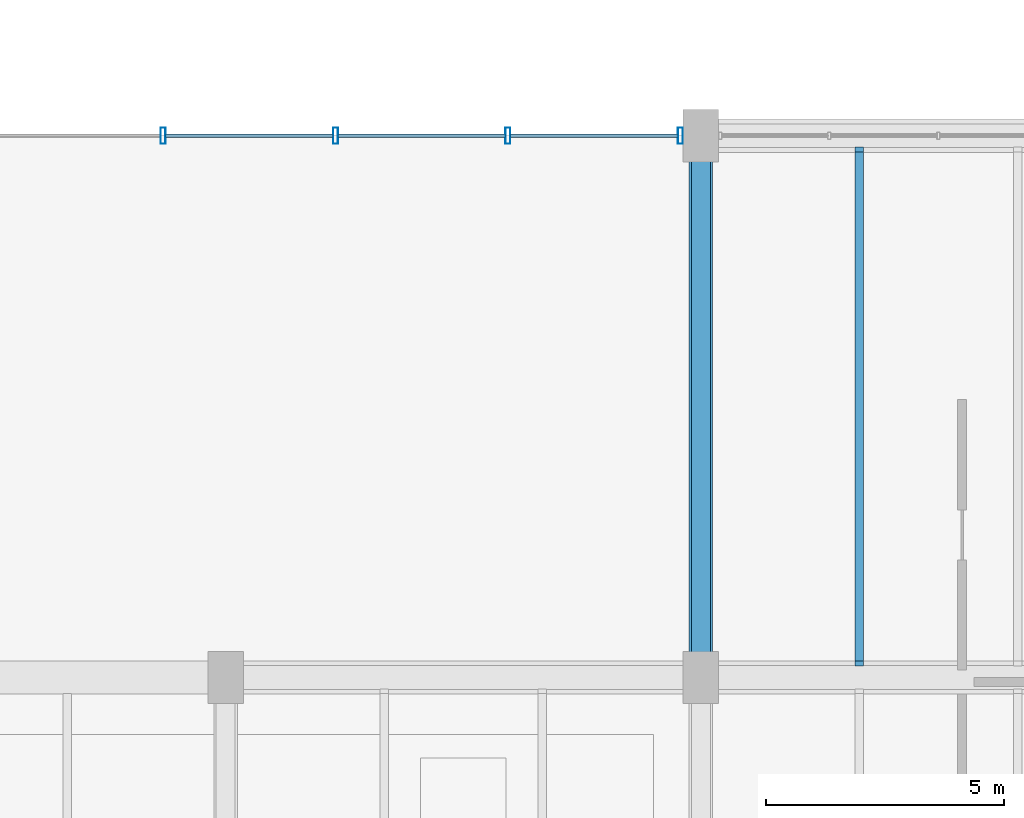
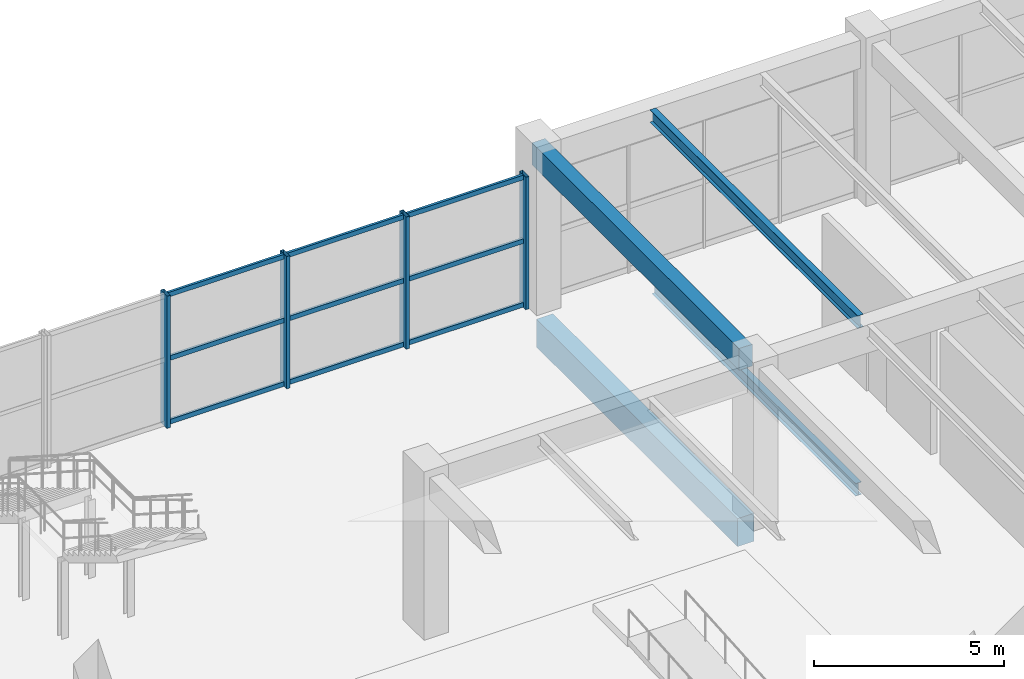
# One storey, part 38 of 113: 13 members, 4 beams, 1 element without a shape of its own.
"""IFC4 building model written with IfcOpenShell, lengths in metres."""

from ifc_helpers import new_model, si_unit, direction, frame, origin, origin_2d, place, context, subcontext, project, spatial, rectangle, hollow_rectangle, i_section, extrude, material, layer, layer_set, material_profile, profile_set, type_object, element, aggregate, save


model = new_model("IFC4")

# Units and contexts
model_context = context("Model", 3, precision=1e-05, world=origin(), true_north=direction((0.0, 1.0)))
body_context = subcontext(model_context, "Body", "Model", "MODEL_VIEW")
ifc_project = project(units=[si_unit("LENGTHUNIT", "METRE"), si_unit("AREAUNIT", "SQUARE_METRE"), si_unit("VOLUMEUNIT", "CUBIC_METRE"), si_unit("PLANEANGLEUNIT", "RADIAN"), si_unit("MASSUNIT", "GRAM", prefix="KILO"), si_unit("POWERUNIT", "WATT"), si_unit("THERMODYNAMICTEMPERATUREUNIT", "KELVIN")], contexts=[model_context])

# Site, building, storey
site_placement = place(None, origin())
site = spatial("IfcSite", under=ifc_project, at=site_placement, CompositionType="ELEMENT")
building_placement = place(site_placement, origin())
building = spatial("IfcBuilding", under=site, at=building_placement, Name="Kelmbourne Parkland Aquatics Centre", CompositionType="ELEMENT")
storey_placement = place(building_placement, origin())
storey = spatial("IfcBuildingStorey", under=building, at=storey_placement, Name="L00", CompositionType="ELEMENT", Elevation=0.0)

# Beams
ifc_material_1 = material(Name="Concrete C40/50", Category="concrete")
ifc_material_profile_1 = material_profile(ifc_material_1, rectangle(XDim=0.5, YDim=0.89990234375, at=origin_2d()), Name="RC 500x900")
ifc_profile_set_1 = profile_set([ifc_material_profile_1], Name="Concrete C40/50")
beam_type_1 = type_object("IfcBeamType", Name="BM-G03", PredefinedType="BEAM", material=ifc_profile_set_1)
beam_1_placement = place(storey_placement, frame((76.0, 12.705078125, -0.72998046875), z_axis=(0.0, 1.0, 0.0), x_axis=(-1.0, 0.0, 0.0)))
element("IfcBeam", 1, at=beam_1_placement, inside=storey, type_object=beam_type_1, Name="Primary girder 03-04 Grid J (L00)", PredefinedType="BEAM", context=body_context, shape_type="SweptSolid", body=[
    extrude(rectangle(XDim=0.5, YDim=0.89990234375, at=origin_2d()), origin(), (0.0, 0.0, 1.0), 10.56494140625),
])
ifc_material_profile_2 = material_profile(ifc_material_1, rectangle(XDim=0.39990234375, YDim=0.699951171875, at=origin_2d()), Name="RC 400x700")
ifc_profile_set_2 = profile_set([ifc_material_profile_2], Name="Concrete C40/50")
beam_type_2 = type_object("IfcBeamType", Name="BM-G05", PredefinedType="BEAM", material=ifc_profile_set_2)
beam_2_placement = place(storey_placement, frame((76.0, 12.705078125, 4.81005859375), z_axis=(0.0, 1.0, 0.0), x_axis=(-1.0, 0.0, 0.0)))
element("IfcBeam", 2, at=beam_2_placement, inside=storey, type_object=beam_type_2, Name="Primary girder 03-04 Grid J (L01)", PredefinedType="BEAM", context=body_context, shape_type="SweptSolid", body=[
    extrude(rectangle(XDim=0.39990234375, YDim=0.699951171875, at=origin_2d()), origin(), (0.0, 0.0, 1.0), 10.89501953125),
])
ifc_material_2 = material(Name="Structural steel AS/NZS 3679.1 Grade 300", Category="steel")
ifc_material_profile_3 = material_profile(ifc_material_2, i_section(OverallWidth=0.177978515625, OverallDepth=0.406005859375, WebThickness=0.0078125, FlangeThickness=0.0126953125, at=origin_2d()), Name="410UB59.7")
ifc_profile_set_3 = profile_set([ifc_material_profile_3], Name="Structural steel AS/NZS 3679.1 Grade 300")
beam_type_3 = type_object("IfcBeamType", Name="BM-J01", PredefinedType="JOIST", material=ifc_profile_set_3)
beam_3_placement = place(storey_placement, frame((79.333251953125, 12.5419921875, -0.48291015625), z_axis=(0.0, 1.0, 0.0), x_axis=(-1.0, 0.0, 0.0)))
element("IfcBeam", 3, at=beam_3_placement, inside=storey, type_object=beam_type_3, Name="Secondary floor joist J-K/03-04 #1 (L00)", PredefinedType="JOIST", context=body_context, shape_type="SweptSolid", body=[
    extrude(i_section(OverallWidth=0.177978515625, OverallDepth=0.406005859375, WebThickness=0.0078125, FlangeThickness=0.0126953125, at=origin_2d()), origin(), (0.0, 0.0, 1.0), 10.716064453125),
])
beam_4_placement = place(storey_placement, frame((79.333251953125, 12.44189453125, 4.95703125), z_axis=(0.0, 1.0, 0.0), x_axis=(-1.0, 0.0, 0.0)))
element("IfcBeam", 4, at=beam_4_placement, inside=storey, type_object=beam_type_3, Name="Secondary floor joist J-K/03-04 #1 (L01)", PredefinedType="JOIST", context=body_context, shape_type="SweptSolid", body=[
    extrude(i_section(OverallWidth=0.177978515625, OverallDepth=0.406005859375, WebThickness=0.0078125, FlangeThickness=0.0126953125, at=origin_2d()), origin(), (0.0, 0.0, 1.0), 10.916015625),
])

# Curtain wall, members
ifc_material_3 = material(Name="Thermally broken anodised aluminium framing", Category="aluminium")
ifc_layer = layer(ifc_material_3, 0.179931640625)
ifc_layer_set = layer_set([ifc_layer], Name="Thermally broken anodised aluminium framing")
curtain_wall_type = type_object("IfcCurtainWallType", Name="CW-01", PredefinedType="NOTDEFINED", material=ifc_layer_set)
curtain_wall_placement = place(storey_placement, origin())
curtain_wall = element("IfcCurtainWall", 5, at=curtain_wall_placement, inside=storey, type_object=curtain_wall_type, Name="Facade curtain wall CW-L00-169", PredefinedType="NOTDEFINED")
ifc_material_profile_4 = material_profile(ifc_material_3, hollow_rectangle(XDim=0.10498046875, YDim=0.340087890625, WallThickness=0.006103515625, at=origin_2d()), Name="CW-M 105x340")
ifc_profile_set_4 = profile_set([ifc_material_profile_4], Name="Thermally broken anodised aluminium framing")
member_type_1 = type_object("IfcMemberType", Name="MB-MUL-5", PredefinedType="MULLION", material=ifc_profile_set_4)
member_1_placement = place(storey_placement, frame((64.681884765625, 23.60009765625, 0.0), z_axis=(0.0, 0.0, 1.0), x_axis=(1.0, 0.0, 0.0)))
member_1 = element("IfcMember", 6, at=member_1_placement, type_object=member_type_1, Name="CW-L00-169 mullion 1", PredefinedType="MULLION", context=body_context, shape_type="SweptSolid", body=[
    extrude(hollow_rectangle(XDim=0.10498046875, YDim=0.340087890625, WallThickness=0.006103515625, at=origin_2d()), origin(), (0.0, 0.0, 1.0), 4.2451171875),
])
member_2_placement = place(storey_placement, frame((68.3115234375, 23.60009765625, 0.0), z_axis=(0.0, 0.0, 1.0), x_axis=(1.0, 0.0, 0.0)))
member_2 = element("IfcMember", 7, at=member_2_placement, type_object=member_type_1, Name="CW-L00-169 mullion 2", PredefinedType="MULLION", context=body_context, shape_type="SweptSolid", body=[
    extrude(hollow_rectangle(XDim=0.10498046875, YDim=0.340087890625, WallThickness=0.006103515625, at=origin_2d()), origin(), (0.0, 0.0, 1.0), 4.2451171875),
])
member_3_placement = place(storey_placement, frame((71.94091796875, 23.60009765625, 0.0), z_axis=(0.0, 0.0, 1.0), x_axis=(1.0, 0.0, 0.0)))
member_3 = element("IfcMember", 8, at=member_3_placement, type_object=member_type_1, Name="CW-L00-169 mullion 3", PredefinedType="MULLION", context=body_context, shape_type="SweptSolid", body=[
    extrude(hollow_rectangle(XDim=0.10498046875, YDim=0.340087890625, WallThickness=0.006103515625, at=origin_2d()), origin(), (0.0, 0.0, 1.0), 4.2451171875),
])
member_4_placement = place(storey_placement, frame((75.570556640625, 23.60009765625, 0.0), z_axis=(0.0, 0.0, 1.0), x_axis=(1.0, 0.0, 0.0)))
member_4 = element("IfcMember", 9, at=member_4_placement, type_object=member_type_1, Name="CW-L00-169 mullion 4", PredefinedType="MULLION", context=body_context, shape_type="SweptSolid", body=[
    extrude(hollow_rectangle(XDim=0.10498046875, YDim=0.340087890625, WallThickness=0.006103515625, at=origin_2d()), origin(), (0.0, 0.0, 1.0), 4.2451171875),
])
ifc_material_profile_5 = material_profile(ifc_material_3, hollow_rectangle(XDim=0.074951171875, YDim=0.14990234375, WallThickness=0.00390625, at=origin_2d()), Name="CW-T 75x150")
ifc_profile_set_5 = profile_set([ifc_material_profile_5], Name="Thermally broken anodised aluminium framing")
member_type_2 = type_object("IfcMemberType", Name="MB-TRN-2", PredefinedType="USERDEFINED", material=ifc_profile_set_5)
member_5_placement = place(storey_placement, frame((64.73046875, 23.60009765625, 0.077880859375), z_axis=(1.0, 0.0, 0.0), x_axis=(0.0, 1.0, 0.0)))
member_5 = element("IfcMember", 10, at=member_5_placement, type_object=member_type_2, Name="CW-L00-169 transom 0-1", ObjectType="TRANSOM", PredefinedType="USERDEFINED", context=body_context, shape_type="SweptSolid", body=[
    extrude(hollow_rectangle(XDim=0.074951171875, YDim=0.14990234375, WallThickness=0.00390625, at=origin_2d()), origin(), (0.0, 0.0, 1.0), 3.532470703125),
])
member_6_placement = place(storey_placement, frame((68.360107421875, 23.60009765625, 0.077880859375), z_axis=(1.0, 0.0, 0.0), x_axis=(0.0, 1.0, 0.0)))
member_6 = element("IfcMember", 11, at=member_6_placement, type_object=member_type_2, Name="CW-L00-169 transom 0-2", ObjectType="TRANSOM", PredefinedType="USERDEFINED", context=body_context, shape_type="SweptSolid", body=[
    extrude(hollow_rectangle(XDim=0.074951171875, YDim=0.14990234375, WallThickness=0.00390625, at=origin_2d()), origin(), (0.0, 0.0, 1.0), 3.532470703125),
])
member_7_placement = place(storey_placement, frame((71.989501953125, 23.60009765625, 0.077880859375), z_axis=(1.0, 0.0, 0.0), x_axis=(0.0, 1.0, 0.0)))
member_7 = element("IfcMember", 12, at=member_7_placement, type_object=member_type_2, Name="CW-L00-169 transom 0-3", ObjectType="TRANSOM", PredefinedType="USERDEFINED", context=body_context, shape_type="SweptSolid", body=[
    extrude(hollow_rectangle(XDim=0.074951171875, YDim=0.14990234375, WallThickness=0.00390625, at=origin_2d()), origin(), (0.0, 0.0, 1.0), 3.532470703125),
])
member_8_placement = place(storey_placement, frame((64.73046875, 23.60009765625, 2.12255859375), z_axis=(1.0, 0.0, 0.0), x_axis=(0.0, 1.0, 0.0)))
member_8 = element("IfcMember", 13, at=member_8_placement, type_object=member_type_2, Name="CW-L00-169 transom 1-1", ObjectType="TRANSOM", PredefinedType="USERDEFINED", context=body_context, shape_type="SweptSolid", body=[
    extrude(hollow_rectangle(XDim=0.074951171875, YDim=0.14990234375, WallThickness=0.00390625, at=origin_2d()), origin(), (0.0, 0.0, 1.0), 3.532470703125),
])
member_9_placement = place(storey_placement, frame((68.360107421875, 23.60009765625, 2.12255859375), z_axis=(1.0, 0.0, 0.0), x_axis=(0.0, 1.0, 0.0)))
member_9 = element("IfcMember", 14, at=member_9_placement, type_object=member_type_2, Name="CW-L00-169 transom 1-2", ObjectType="TRANSOM", PredefinedType="USERDEFINED", context=body_context, shape_type="SweptSolid", body=[
    extrude(hollow_rectangle(XDim=0.074951171875, YDim=0.14990234375, WallThickness=0.00390625, at=origin_2d()), origin(), (0.0, 0.0, 1.0), 3.532470703125),
])
member_10_placement = place(storey_placement, frame((71.989501953125, 23.60009765625, 2.12255859375), z_axis=(1.0, 0.0, 0.0), x_axis=(0.0, 1.0, 0.0)))
member_10 = element("IfcMember", 15, at=member_10_placement, type_object=member_type_2, Name="CW-L00-169 transom 1-3", ObjectType="TRANSOM", PredefinedType="USERDEFINED", context=body_context, shape_type="SweptSolid", body=[
    extrude(hollow_rectangle(XDim=0.074951171875, YDim=0.14990234375, WallThickness=0.00390625, at=origin_2d()), origin(), (0.0, 0.0, 1.0), 3.532470703125),
])
member_11_placement = place(storey_placement, frame((64.73046875, 23.60009765625, 4.1669921875), z_axis=(1.0, 0.0, 0.0), x_axis=(0.0, 1.0, 0.0)))
member_11 = element("IfcMember", 16, at=member_11_placement, type_object=member_type_2, Name="CW-L00-169 transom 2-1", ObjectType="TRANSOM", PredefinedType="USERDEFINED", context=body_context, shape_type="SweptSolid", body=[
    extrude(hollow_rectangle(XDim=0.074951171875, YDim=0.14990234375, WallThickness=0.00390625, at=origin_2d()), origin(), (0.0, 0.0, 1.0), 3.532470703125),
])
member_12_placement = place(storey_placement, frame((68.360107421875, 23.60009765625, 4.1669921875), z_axis=(1.0, 0.0, 0.0), x_axis=(0.0, 1.0, 0.0)))
member_12 = element("IfcMember", 17, at=member_12_placement, type_object=member_type_2, Name="CW-L00-169 transom 2-2", ObjectType="TRANSOM", PredefinedType="USERDEFINED", context=body_context, shape_type="SweptSolid", body=[
    extrude(hollow_rectangle(XDim=0.074951171875, YDim=0.14990234375, WallThickness=0.00390625, at=origin_2d()), origin(), (0.0, 0.0, 1.0), 3.532470703125),
])
member_13_placement = place(storey_placement, frame((71.989501953125, 23.60009765625, 4.1669921875), z_axis=(1.0, 0.0, 0.0), x_axis=(0.0, 1.0, 0.0)))
member_13 = element("IfcMember", 18, at=member_13_placement, type_object=member_type_2, Name="CW-L00-169 transom 2-3", ObjectType="TRANSOM", PredefinedType="USERDEFINED", context=body_context, shape_type="SweptSolid", body=[
    extrude(hollow_rectangle(XDim=0.074951171875, YDim=0.14990234375, WallThickness=0.00390625, at=origin_2d()), origin(), (0.0, 0.0, 1.0), 3.532470703125),
])
aggregate(curtain_wall, [member_1, member_2, member_3, member_4, member_5, member_6, member_7, member_8, member_9, member_10, member_11, member_12, member_13])

save(model, "model.ifc")
